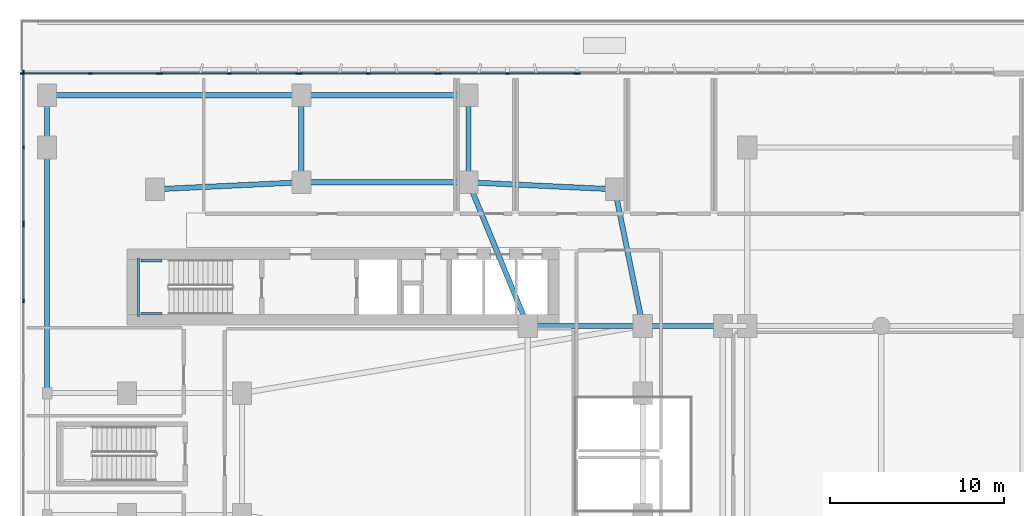
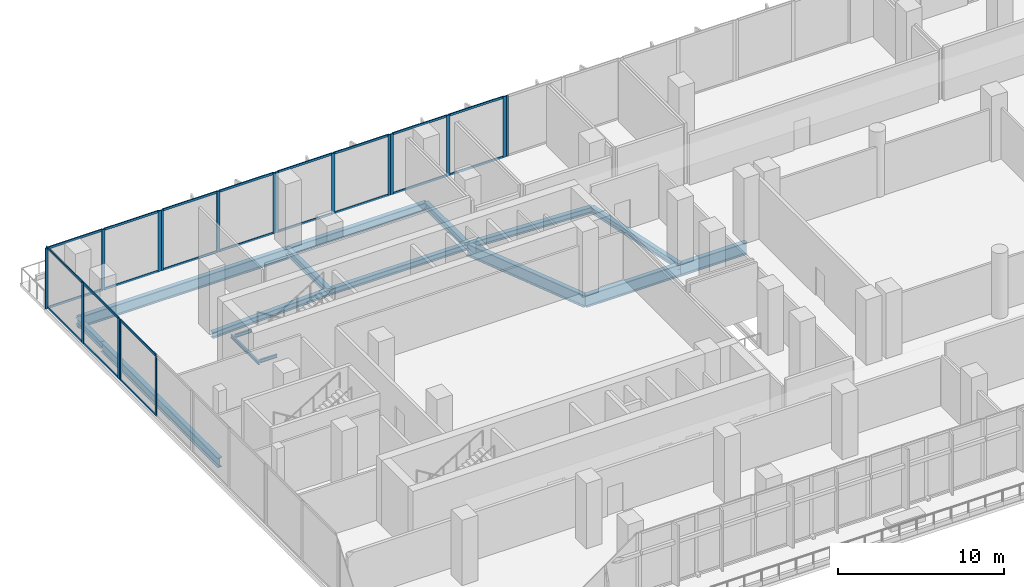
# One storey, part 5 of 30: 40 members, 16 beams, 7 elements without a shape of their own.
"""IFC4 building model written with IfcOpenShell, lengths in metres."""

from ifc_helpers import new_model, si_unit, derived_unit, direction, frame, origin, origin_2d, place, context, subcontext, project, spatial, rectangle, i_section, extrude, material, layer, layer_set, material_profile, profile_set, type_object, element, aggregate, save


model = new_model("IFC4")

# Units and contexts
model_context = context("Model", 3, precision=1e-05, world=origin(), true_north=direction((0.0, 1.0)))
body_context = subcontext(model_context, "Body", "Model", "MODEL_VIEW")
ifc_project = project(units=[si_unit("LENGTHUNIT", "METRE"), si_unit("AREAUNIT", "SQUARE_METRE"), si_unit("VOLUMEUNIT", "CUBIC_METRE"), si_unit("PLANEANGLEUNIT", "RADIAN"), si_unit("MASSUNIT", "GRAM", prefix="KILO"), derived_unit("THERMALTRANSMITTANCEUNIT", [(si_unit("POWERUNIT", "WATT"), 1), (si_unit("LENGTHUNIT", "METRE"), -2), (si_unit("THERMODYNAMICTEMPERATUREUNIT", "KELVIN"), -1)])], contexts=[model_context])

# Site, building, storey
site_placement = place(None, origin())
site = spatial("IfcSite", under=ifc_project, at=site_placement, CompositionType="ELEMENT")
building_placement = place(site_placement, origin())
building = spatial("IfcBuilding", under=site, at=building_placement, Name="Kivonza Crest Hotel", CompositionType="ELEMENT")
storey_placement = place(building_placement, frame((0.0, 0.0, 10.199951171875)))
storey = spatial("IfcBuildingStorey", under=building, at=storey_placement, Name="L02", CompositionType="ELEMENT", Elevation=10.199951171875)

# Beams
ifc_material_1 = material(Name="Steel S355", Category="steel")
ifc_material_profile_1 = material_profile(ifc_material_1, i_section(OverallWidth=0.300048828125, OverallDepth=0.449951171875, WebThickness=0.013916015625, FlangeThickness=0.02587890625, FilletRadius=0.027099609375, at=origin_2d()), Name="HEB 450")
ifc_profile_set_1 = profile_set([ifc_material_profile_1], Name="Steel S355")
beam_type_1 = type_object("IfcBeamType", Name="BM-HEB450", PredefinedType="SPANDREL", material=ifc_profile_set_1)
beam_1_placement = place(storey_placement, frame((35.800048828125, 32.35009765625, -0.574951171875), z_axis=(-0.199730733965, 0.979850822273, 0.0), x_axis=(-0.979850822273, -0.199730733965, 0.0)))
element("IfcBeam", 1, at=beam_1_placement, inside=storey, type_object=beam_type_1, Name="Tower T1 L02 perimeter spandrel PNE-NE", PredefinedType="SPANDREL", context=body_context, shape_type="SweptSolid", body=[
    extrude(i_section(OverallWidth=0.300048828125, OverallDepth=0.449951171875, WebThickness=0.013916015625, FlangeThickness=0.02587890625, FilletRadius=0.027099609375, at=origin_2d()), origin(), (0.0, 0.0, 1.0), 8.01123046875),
])
beam_2_placement = place(storey_placement, frame((34.199951171875, 40.199951171875, -0.574951171875), z_axis=(-0.998867283688, 0.047583080799, 0.0), x_axis=(-0.047583080799, -0.998867283688, 0.0)))
element("IfcBeam", 2, at=beam_2_placement, inside=storey, type_object=beam_type_1, Name="Tower T1 L02 perimeter spandrel NE-N2", PredefinedType="SPANDREL", context=body_context, shape_type="SweptSolid", body=[
    extrude(i_section(OverallWidth=0.300048828125, OverallDepth=0.449951171875, WebThickness=0.013916015625, FlangeThickness=0.02587890625, FilletRadius=0.027099609375, at=origin_2d()), origin(), (0.0, 0.0, 1.0), 8.409423828125),
])
beam_3_placement = place(storey_placement, frame((25.800048828125, 40.60009765625, -0.574951171875), z_axis=(-1.0, 0.0, 0.0), x_axis=(0.0, -1.0, 0.0)))
element("IfcBeam", 3, at=beam_3_placement, inside=storey, type_object=beam_type_1, Name="Tower T1 L02 perimeter spandrel N2-N1", PredefinedType="SPANDREL", context=body_context, shape_type="SweptSolid", body=[
    extrude(i_section(OverallWidth=0.300048828125, OverallDepth=0.449951171875, WebThickness=0.013916015625, FlangeThickness=0.02587890625, FilletRadius=0.027099609375, at=origin_2d()), origin(), (0.0, 0.0, 1.0), 9.60009765625),
])
beam_4_placement = place(storey_placement, frame((16.199951171875, 40.60009765625, -0.574951171875), z_axis=(-0.998867283688, -0.047583080799, 0.0), x_axis=(0.047583080799, -0.998867283688, 0.0)))
element("IfcBeam", 4, at=beam_4_placement, inside=storey, type_object=beam_type_1, Name="Tower T1 L02 perimeter spandrel N1-NW", PredefinedType="SPANDREL", context=body_context, shape_type="SweptSolid", body=[
    extrude(i_section(OverallWidth=0.300048828125, OverallDepth=0.449951171875, WebThickness=0.013916015625, FlangeThickness=0.02587890625, FilletRadius=0.027099609375, at=origin_2d()), origin(), (0.0, 0.0, 1.0), 8.409423828125),
])
ifc_material_profile_2 = material_profile(ifc_material_1, i_section(OverallWidth=0.300048828125, OverallDepth=0.5, WebThickness=0.014404296875, FlangeThickness=0.028076171875, FilletRadius=0.027099609375, at=origin_2d()), Name="HEB 500")
ifc_profile_set_2 = profile_set([ifc_material_profile_2], Name="Steel S355")
beam_type_2 = type_object("IfcBeamType", Name="BM-HEB500", PredefinedType="BEAM", material=ifc_profile_set_2)
beam_5_placement = place(storey_placement, frame((1.60009765625, 42.60009765625, -0.599853515625), z_axis=(0.0, 1.0, 0.0), x_axis=(-1.0, 0.0, 0.0)))
element("IfcBeam", 5, at=beam_5_placement, inside=storey, type_object=beam_type_2, Name="L02 podium girder Y 39", PredefinedType="BEAM", context=body_context, shape_type="SweptSolid", body=[
    extrude(i_section(OverallWidth=0.300048828125, OverallDepth=0.5, WebThickness=0.014404296875, FlangeThickness=0.028076171875, FilletRadius=0.027099609375, at=origin_2d()), origin(), (0.0, 0.0, 1.0), 3.0),
])
for number, where, z_axis, x_axis, name in (
    (6, (16.199951171875, 40.60009765625, -0.599853515625), (0.0, 1.0, 0.0), (-1.0, 0.0, 0.0), "L02 podium girder Y 43"),
    (7, (25.800048828125, 40.60009765625, -0.599853515625), (0.0, 1.0, 0.0), (-1.0, 0.0, 0.0), "L02 podium girder Y 45"),
):
    element("IfcBeam", number, at=place(storey_placement, frame(where, z_axis=z_axis, x_axis=x_axis)), inside=storey, type_object=beam_type_2, Name=name, PredefinedType="BEAM", context=body_context, shape_type="SweptSolid", body=[
        extrude(i_section(OverallWidth=0.300048828125, OverallDepth=0.5, WebThickness=0.014404296875, FlangeThickness=0.028076171875, FilletRadius=0.027099609375, at=origin_2d()), origin(), (0.0, 0.0, 1.0), 5.0),
    ])
ifc_material_profile_3 = material_profile(ifc_material_1, i_section(OverallWidth=0.300048828125, OverallDepth=0.60009765625, WebThickness=0.015380859375, FlangeThickness=0.030029296875, FilletRadius=0.027099609375, at=origin_2d()), Name="HEB 600")
ifc_profile_set_3 = profile_set([ifc_material_profile_3], Name="Steel S355")
beam_type_3 = type_object("IfcBeamType", Name="BM-HEB600", PredefinedType="BEAM", material=ifc_profile_set_3)
beam_6_placement = place(storey_placement, frame((16.199951171875, 45.60009765625, -0.64990234375), z_axis=(1.0, 0.0, 0.0), x_axis=(0.0, 1.0, 0.0)))
element("IfcBeam", 8, at=beam_6_placement, inside=storey, type_object=beam_type_3, Name="L02 podium girder X 32", PredefinedType="BEAM", context=body_context, shape_type="SweptSolid", body=[
    extrude(i_section(OverallWidth=0.300048828125, OverallDepth=0.60009765625, WebThickness=0.015380859375, FlangeThickness=0.030029296875, FilletRadius=0.027099609375, at=origin_2d()), origin(), (0.0, 0.0, 1.0), 9.60009765625),
])
ifc_material_profile_4 = material_profile(ifc_material_1, i_section(OverallWidth=0.300048828125, OverallDepth=0.699951171875, WebThickness=0.01708984375, FlangeThickness=0.031982421875, FilletRadius=0.027099609375, at=origin_2d()), Name="HEB 700")
ifc_profile_set_4 = profile_set([ifc_material_profile_4], Name="Steel S355")
beam_type_4 = type_object("IfcBeamType", Name="BM-HEB700", PredefinedType="BEAM", material=ifc_profile_set_4)
beam_7_placement = place(storey_placement, frame((1.60009765625, 28.5, -0.699951171875), z_axis=(0.0, 1.0, 0.0), x_axis=(-1.0, 0.0, 0.0)))
element("IfcBeam", 9, at=beam_7_placement, inside=storey, type_object=beam_type_4, Name="L02 podium girder Y 38", PredefinedType="BEAM", context=body_context, shape_type="SweptSolid", body=[
    extrude(i_section(OverallWidth=0.300048828125, OverallDepth=0.699951171875, WebThickness=0.01708984375, FlangeThickness=0.031982421875, FilletRadius=0.027099609375, at=origin_2d()), origin(), (0.0, 0.0, 1.0), 14.10009765625),
])
ifc_material_profile_5 = material_profile(ifc_material_1, i_section(OverallWidth=0.300048828125, OverallDepth=0.800048828125, WebThickness=0.017578125, FlangeThickness=0.032958984375, FilletRadius=0.030029296875, at=origin_2d()), Name="HEB 800")
ifc_profile_set_5 = profile_set([ifc_material_profile_5], Name="Steel S355")
beam_type_5 = type_object("IfcBeamType", Name="BM-HEB800", PredefinedType="BEAM", material=ifc_profile_set_5)
beam_8_placement = place(storey_placement, frame((1.60009765625, 45.60009765625, -0.75), z_axis=(1.0, 0.0, 0.0), x_axis=(0.0, 1.0, 0.0)))
element("IfcBeam", 10, at=beam_8_placement, inside=storey, type_object=beam_type_5, Name="L02 podium girder X 31", PredefinedType="BEAM", context=body_context, shape_type="SweptSolid", body=[
    extrude(i_section(OverallWidth=0.300048828125, OverallDepth=0.800048828125, WebThickness=0.017578125, FlangeThickness=0.032958984375, FilletRadius=0.030029296875, at=origin_2d()), origin(), (0.0, 0.0, 1.0), 14.599853515625),
])
ifc_material_profile_6 = material_profile(ifc_material_1, i_section(OverallWidth=0.300048828125, OverallDepth=0.89990234375, WebThickness=0.0185546875, FlangeThickness=0.034912109375, FilletRadius=0.030029296875, at=origin_2d()), Name="HEB 900")
ifc_profile_set_6 = profile_set([ifc_material_profile_6], Name="Steel S355")
beam_type_6 = type_object("IfcBeamType", Name="BM-HEB900", PredefinedType="BEAM", material=ifc_profile_set_6)
beam_9_placement = place(storey_placement, frame((25.800048828125, 40.60009765625, -0.800048828125), z_axis=(0.381022260404, -0.924565864109, 0.0), x_axis=(0.924565864109, 0.381022260404, 0.0)))
element("IfcBeam", 11, at=beam_9_placement, inside=storey, type_object=beam_type_6, Name="Tower T1 L02 primary girder N1-TNE", PredefinedType="BEAM", context=body_context, shape_type="SweptSolid", body=[
    extrude(i_section(OverallWidth=0.300048828125, OverallDepth=0.89990234375, WebThickness=0.0185546875, FlangeThickness=0.034912109375, FilletRadius=0.030029296875, at=origin_2d()), origin(), (0.0, 0.0, 1.0), 8.923095703125),
])
beam_10_placement = place(storey_placement, frame((29.199951171875, 32.35009765625, -0.800048828125), z_axis=(1.0, 0.0, 0.0), x_axis=(0.0, 1.0, 0.0)))
element("IfcBeam", 12, at=beam_10_placement, inside=storey, type_object=beam_type_6, Name="Tower T1 L02 primary girder TNE-PNE", PredefinedType="BEAM", context=body_context, shape_type="SweptSolid", body=[
    extrude(i_section(OverallWidth=0.300048828125, OverallDepth=0.89990234375, WebThickness=0.0185546875, FlangeThickness=0.034912109375, FilletRadius=0.030029296875, at=origin_2d()), origin(), (0.0, 0.0, 1.0), 6.60009765625),
])
beam_11_placement = place(storey_placement, frame((40.39990234375, 32.35009765625, -0.800048828125), z_axis=(-1.0, 0.0, 0.0), x_axis=(0.0, -1.0, 0.0)))
element("IfcBeam", 13, at=beam_11_placement, inside=storey, type_object=beam_type_6, Name="Tower T1 L02 outer bay girder ZE2", PredefinedType="BEAM", context=body_context, shape_type="SweptSolid", body=[
    extrude(i_section(OverallWidth=0.300048828125, OverallDepth=0.89990234375, WebThickness=0.0185546875, FlangeThickness=0.034912109375, FilletRadius=0.030029296875, at=origin_2d()), origin(), (0.0, 0.0, 1.0), 4.599853515625),
])
ifc_material_profile_7 = material_profile(ifc_material_1, i_section(OverallWidth=0.1201171875, OverallDepth=0.239990234375, WebThickness=0.006103515625, FlangeThickness=0.009765625, FilletRadius=0.014892578125, at=origin_2d()), Name="IPE 240")
ifc_profile_set_7 = profile_set([ifc_material_profile_7], Name="Steel S355")
beam_type_7 = type_object("IfcBeamType", Name="BM-LLDG-240", PredefinedType="BEAM", material=ifc_profile_set_7)
beam_12_placement = place(storey_placement, frame((6.860107421875, 32.89990234375, 2.080078125), z_axis=(0.0, 1.0, 0.0), x_axis=(-1.0, 0.0, 0.0)))
element("IfcBeam", 14, at=beam_12_placement, inside=storey, type_object=beam_type_7, Name="Stair ST-T1-N L02 West landing corbel", PredefinedType="BEAM", context=body_context, shape_type="SweptSolid", body=[
    extrude(i_section(OverallWidth=0.1201171875, OverallDepth=0.239990234375, WebThickness=0.006103515625, FlangeThickness=0.009765625, FilletRadius=0.014892578125, at=origin_2d()), origin(), (0.0, 0.0, 1.0), 3.360107421875),
])
for number, where, z_axis, x_axis, name in (
    (15, (6.989990234375, 33.06005859375, 2.080078125), (1.0, 0.0, 0.0), (0.0, 1.0, 0.0), "Stair ST-T1-N L02 South landing corbel"),
    (16, (6.989990234375, 36.10009765625, 2.080078125), (1.0, 0.0, 0.0), (0.0, 1.0, 0.0), "Stair ST-T1-N L02 North landing corbel"),
):
    element("IfcBeam", number, at=place(storey_placement, frame(where, z_axis=z_axis, x_axis=x_axis)), inside=storey, type_object=beam_type_7, Name=name, PredefinedType="BEAM", context=body_context, shape_type="SweptSolid", body=[
        extrude(i_section(OverallWidth=0.1201171875, OverallDepth=0.239990234375, WebThickness=0.006103515625, FlangeThickness=0.009765625, FilletRadius=0.014892578125, at=origin_2d()), origin(), (0.0, 0.0, 1.0), 1.2099609375),
    ])

# Curtain wall, member
ifc_material_2 = material(Name="Anodised bronze aluminium and low-E double glazing", Category="aluminium")
ifc_layer = layer(ifc_material_2, 0.219970703125)
ifc_layer_set = layer_set([ifc_layer], Name="Anodised bronze aluminium and low-E double glazing")
curtain_wall_type = type_object("IfcCurtainWallType", Name="CW-SYS-1", PredefinedType="NOTDEFINED", material=ifc_layer_set)
curtain_wall_1_placement = place(storey_placement, origin())
curtain_wall_1 = element("IfcCurtainWall", 17, at=curtain_wall_1_placement, inside=storey, type_object=curtain_wall_type, Name="L02 unitised curtain wall CW-POD-L02-25", PredefinedType="NOTDEFINED")
ifc_material_3 = material(Name="Anodised bronze aluminium", Category="aluminium")
ifc_material_profile_8 = material_profile(ifc_material_3, rectangle(XDim=0.074951171875, YDim=0.219970703125, at=origin_2d()), Name="CW-M 75x220")
ifc_profile_set_8 = profile_set([ifc_material_profile_8], Name="Anodised bronze aluminium")
member_type_1 = type_object("IfcMemberType", Name="CW-MUL-75x220", PredefinedType="MULLION", material=ifc_profile_set_8)
member_1_placement = place(storey_placement, frame((32.1044921875, 46.840087890625, 0.0), z_axis=(0.0, 0.0, 1.0), x_axis=(0.0, -1.0, 0.0)))
member_1 = element("IfcMember", 18, at=member_1_placement, type_object=member_type_1, Name="CW-1 mullion 3", PredefinedType="MULLION", context=body_context, shape_type="SweptSolid", body=[
    extrude(rectangle(XDim=0.074951171875, YDim=0.219970703125, at=origin_2d()), origin(), (0.0, 0.0, 1.0), 4.449951171875),
])
aggregate(curtain_wall_1, [member_1])

# Curtain wall, members
curtain_wall_2_placement = place(storey_placement, origin())
curtain_wall_2 = element("IfcCurtainWall", 19, at=curtain_wall_2_placement, inside=storey, type_object=curtain_wall_type, Name="L02 unitised curtain wall CW-POD-L02-26", PredefinedType="NOTDEFINED")
member_2_placement = place(storey_placement, frame((31.949462890625, 46.840087890625, 0.0), z_axis=(0.0, 0.0, 1.0), x_axis=(0.0, -1.0, 0.0)))
member_2 = element("IfcMember", 20, at=member_2_placement, type_object=member_type_1, Name="CW-1 mullion 1", PredefinedType="MULLION", context=body_context, shape_type="SweptSolid", body=[
    extrude(rectangle(XDim=0.074951171875, YDim=0.219970703125, at=origin_2d()), origin(), (0.0, 0.0, 1.0), 4.449951171875),
])
member_3_placement = place(storey_placement, frame((28.033447265625, 46.840087890625, 0.0), z_axis=(0.0, 0.0, 1.0), x_axis=(0.0, -1.0, 0.0)))
member_3 = element("IfcMember", 21, at=member_3_placement, type_object=member_type_1, Name="CW-1 mullion 2", PredefinedType="MULLION", context=body_context, shape_type="SweptSolid", body=[
    extrude(rectangle(XDim=0.074951171875, YDim=0.219970703125, at=origin_2d()), origin(), (0.0, 0.0, 1.0), 4.449951171875),
])
member_4_placement = place(storey_placement, frame((24.117431640625, 46.840087890625, 0.0), z_axis=(0.0, 0.0, 1.0), x_axis=(0.0, -1.0, 0.0)))
member_4 = element("IfcMember", 22, at=member_4_placement, type_object=member_type_1, Name="CW-1 mullion 3", PredefinedType="MULLION", context=body_context, shape_type="SweptSolid", body=[
    extrude(rectangle(XDim=0.074951171875, YDim=0.219970703125, at=origin_2d()), origin(), (0.0, 0.0, 1.0), 4.449951171875),
])

curtain_wall_3_placement = place(storey_placement, origin())
curtain_wall_3 = element("IfcCurtainWall", 23, at=curtain_wall_3_placement, inside=storey, type_object=curtain_wall_type, Name="L02 unitised curtain wall CW-POD-L02-27", PredefinedType="NOTDEFINED")
member_5_placement = place(storey_placement, frame((23.96240234375, 46.840087890625, 0.0), z_axis=(0.0, 0.0, 1.0), x_axis=(0.0, -1.0, 0.0)))
member_5 = element("IfcMember", 24, at=member_5_placement, type_object=member_type_1, Name="CW-1 mullion 1", PredefinedType="MULLION", context=body_context, shape_type="SweptSolid", body=[
    extrude(rectangle(XDim=0.074951171875, YDim=0.219970703125, at=origin_2d()), origin(), (0.0, 0.0, 1.0), 4.449951171875),
])
member_6_placement = place(storey_placement, frame((20.04638671875, 46.840087890625, 0.0), z_axis=(0.0, 0.0, 1.0), x_axis=(0.0, -1.0, 0.0)))
member_6 = element("IfcMember", 25, at=member_6_placement, type_object=member_type_1, Name="CW-1 mullion 2", PredefinedType="MULLION", context=body_context, shape_type="SweptSolid", body=[
    extrude(rectangle(XDim=0.074951171875, YDim=0.219970703125, at=origin_2d()), origin(), (0.0, 0.0, 1.0), 4.449951171875),
])
member_7_placement = place(storey_placement, frame((16.130615234375, 46.840087890625, 0.0), z_axis=(0.0, 0.0, 1.0), x_axis=(0.0, -1.0, 0.0)))
member_7 = element("IfcMember", 26, at=member_7_placement, type_object=member_type_1, Name="CW-1 mullion 3", PredefinedType="MULLION", context=body_context, shape_type="SweptSolid", body=[
    extrude(rectangle(XDim=0.074951171875, YDim=0.219970703125, at=origin_2d()), origin(), (0.0, 0.0, 1.0), 4.449951171875),
])

curtain_wall_4_placement = place(storey_placement, origin())
curtain_wall_4 = element("IfcCurtainWall", 27, at=curtain_wall_4_placement, inside=storey, type_object=curtain_wall_type, Name="L02 unitised curtain wall CW-POD-L02-28", PredefinedType="NOTDEFINED")
member_8_placement = place(storey_placement, frame((15.9755859375, 46.840087890625, 0.0), z_axis=(0.0, 0.0, 1.0), x_axis=(0.0, -1.0, 0.0)))
member_8 = element("IfcMember", 28, at=member_8_placement, type_object=member_type_1, Name="CW-1 mullion 1", PredefinedType="MULLION", context=body_context, shape_type="SweptSolid", body=[
    extrude(rectangle(XDim=0.074951171875, YDim=0.219970703125, at=origin_2d()), origin(), (0.0, 0.0, 1.0), 4.449951171875),
])
member_9_placement = place(storey_placement, frame((12.06005859375, 46.840087890625, 0.0), z_axis=(0.0, 0.0, 1.0), x_axis=(0.0, -1.0, 0.0)))
member_9 = element("IfcMember", 29, at=member_9_placement, type_object=member_type_1, Name="CW-1 mullion 2", PredefinedType="MULLION", context=body_context, shape_type="SweptSolid", body=[
    extrude(rectangle(XDim=0.074951171875, YDim=0.219970703125, at=origin_2d()), origin(), (0.0, 0.0, 1.0), 4.449951171875),
])
member_10_placement = place(storey_placement, frame((8.14453125, 46.840087890625, 0.0), z_axis=(0.0, 0.0, 1.0), x_axis=(0.0, -1.0, 0.0)))
member_10 = element("IfcMember", 30, at=member_10_placement, type_object=member_type_1, Name="CW-1 mullion 3", PredefinedType="MULLION", context=body_context, shape_type="SweptSolid", body=[
    extrude(rectangle(XDim=0.074951171875, YDim=0.219970703125, at=origin_2d()), origin(), (0.0, 0.0, 1.0), 4.449951171875),
])

curtain_wall_5_placement = place(storey_placement, origin())
curtain_wall_5 = element("IfcCurtainWall", 31, at=curtain_wall_5_placement, inside=storey, type_object=curtain_wall_type, Name="L02 unitised curtain wall CW-POD-L02-29", PredefinedType="NOTDEFINED")
member_11_placement = place(storey_placement, frame((7.989501953125, 46.840087890625, 0.0), z_axis=(0.0, 0.0, 1.0), x_axis=(0.0, -1.0, 0.0)))
member_11 = element("IfcMember", 32, at=member_11_placement, type_object=member_type_1, Name="CW-1 mullion 1", PredefinedType="MULLION", context=body_context, shape_type="SweptSolid", body=[
    extrude(rectangle(XDim=0.074951171875, YDim=0.219970703125, at=origin_2d()), origin(), (0.0, 0.0, 1.0), 4.449951171875),
])
member_12_placement = place(storey_placement, frame((4.073486328125, 46.840087890625, 0.0), z_axis=(0.0, 0.0, 1.0), x_axis=(0.0, -1.0, 0.0)))
member_12 = element("IfcMember", 33, at=member_12_placement, type_object=member_type_1, Name="CW-1 mullion 2", PredefinedType="MULLION", context=body_context, shape_type="SweptSolid", body=[
    extrude(rectangle(XDim=0.074951171875, YDim=0.219970703125, at=origin_2d()), origin(), (0.0, 0.0, 1.0), 4.449951171875),
])
member_13_placement = place(storey_placement, frame((0.157470703125, 46.840087890625, 0.0), z_axis=(0.0, 0.0, 1.0), x_axis=(0.0, -1.0, 0.0)))
member_13 = element("IfcMember", 34, at=member_13_placement, type_object=member_type_1, Name="CW-1 mullion 3", PredefinedType="MULLION", context=body_context, shape_type="SweptSolid", body=[
    extrude(rectangle(XDim=0.074951171875, YDim=0.219970703125, at=origin_2d()), origin(), (0.0, 0.0, 1.0), 4.449951171875),
])

curtain_wall_6_placement = place(storey_placement, origin())
curtain_wall_6 = element("IfcCurtainWall", 35, at=curtain_wall_6_placement, inside=storey, type_object=curtain_wall_type, Name="L02 unitised curtain wall CW-POD-L02-30", PredefinedType="NOTDEFINED")
member_14_placement = place(storey_placement, frame((0.239990234375, 46.922607421875, 0.0), z_axis=(0.0, 0.0, 1.0), x_axis=(1.0, 0.0, 0.0)))
member_14 = element("IfcMember", 36, at=member_14_placement, type_object=member_type_1, Name="CW-1 mullion 1", PredefinedType="MULLION", context=body_context, shape_type="SweptSolid", body=[
    extrude(rectangle(XDim=0.074951171875, YDim=0.219970703125, at=origin_2d()), origin(), (0.0, 0.0, 1.0), 4.449951171875),
])
member_15_placement = place(storey_placement, frame((0.239990234375, 42.60009765625, 0.0), z_axis=(0.0, 0.0, 1.0), x_axis=(1.0, 0.0, 0.0)))
member_15 = element("IfcMember", 37, at=member_15_placement, type_object=member_type_1, Name="CW-1 mullion 2", PredefinedType="MULLION", context=body_context, shape_type="SweptSolid", body=[
    extrude(rectangle(XDim=0.074951171875, YDim=0.219970703125, at=origin_2d()), origin(), (0.0, 0.0, 1.0), 4.449951171875),
])
member_16_placement = place(storey_placement, frame((0.239990234375, 38.277587890625, 0.0), z_axis=(0.0, 0.0, 1.0), x_axis=(1.0, 0.0, 0.0)))
member_16 = element("IfcMember", 38, at=member_16_placement, type_object=member_type_1, Name="CW-1 mullion 3", PredefinedType="MULLION", context=body_context, shape_type="SweptSolid", body=[
    extrude(rectangle(XDim=0.074951171875, YDim=0.219970703125, at=origin_2d()), origin(), (0.0, 0.0, 1.0), 4.449951171875),
])

curtain_wall_7_placement = place(storey_placement, origin())
curtain_wall_7 = element("IfcCurtainWall", 39, at=curtain_wall_7_placement, inside=storey, type_object=curtain_wall_type, Name="L02 unitised curtain wall CW-POD-L02-31", PredefinedType="NOTDEFINED")
member_17_placement = place(storey_placement, frame((0.239990234375, 38.12255859375, 0.0), z_axis=(0.0, 0.0, 1.0), x_axis=(1.0, 0.0, 0.0)))
member_17 = element("IfcMember", 40, at=member_17_placement, type_object=member_type_1, Name="CW-1 mullion 1", PredefinedType="MULLION", context=body_context, shape_type="SweptSolid", body=[
    extrude(rectangle(XDim=0.074951171875, YDim=0.219970703125, at=origin_2d()), origin(), (0.0, 0.0, 1.0), 4.449951171875),
])
member_18_placement = place(storey_placement, frame((0.239990234375, 33.800048828125, 0.0), z_axis=(0.0, 0.0, 1.0), x_axis=(1.0, 0.0, 0.0)))
member_18 = element("IfcMember", 41, at=member_18_placement, type_object=member_type_1, Name="CW-1 mullion 2", PredefinedType="MULLION", context=body_context, shape_type="SweptSolid", body=[
    extrude(rectangle(XDim=0.074951171875, YDim=0.219970703125, at=origin_2d()), origin(), (0.0, 0.0, 1.0), 4.449951171875),
])

# Member
ifc_material_profile_9 = material_profile(ifc_material_3, rectangle(XDim=0.074951171875, YDim=0.159912109375, at=origin_2d()), Name="CW-T 75x160")
ifc_profile_set_9 = profile_set([ifc_material_profile_9], Name="Anodised bronze aluminium")
member_type_2 = type_object("IfcMemberType", Name="CW-TRN-75x160", PredefinedType="USERDEFINED", material=ifc_profile_set_9)
member_19_placement = place(storey_placement, frame((31.912109375, 46.840087890625, 0.03759765625), z_axis=(-1.0, 0.0, 0.0), x_axis=(0.0, -1.0, 0.0)))
member_19 = element("IfcMember", 42, at=member_19_placement, type_object=member_type_2, Name="CW-1 transom 1.1", ObjectType="TRANSOM", PredefinedType="USERDEFINED", context=body_context, shape_type="SweptSolid", body=[
    extrude(rectangle(XDim=0.074951171875, YDim=0.159912109375, at=origin_2d()), origin(), (0.0, 0.0, 1.0), 3.841064453125),
])

member_20_placement = place(storey_placement, frame((31.912109375, 46.840087890625, 4.41259765625), z_axis=(-1.0, 0.0, 0.0), x_axis=(0.0, -1.0, 0.0)))
member_20 = element("IfcMember", 43, at=member_20_placement, type_object=member_type_2, Name="CW-1 transom 1.2", ObjectType="TRANSOM", PredefinedType="USERDEFINED", context=body_context, shape_type="SweptSolid", body=[
    extrude(rectangle(XDim=0.074951171875, YDim=0.159912109375, at=origin_2d()), origin(), (0.0, 0.0, 1.0), 3.841064453125),
])

member_21_placement = place(storey_placement, frame((27.99609375, 46.840087890625, 0.03759765625), z_axis=(-1.0, 0.0, 0.0), x_axis=(0.0, -1.0, 0.0)))
member_21 = element("IfcMember", 44, at=member_21_placement, type_object=member_type_2, Name="CW-1 transom 2.1", ObjectType="TRANSOM", PredefinedType="USERDEFINED", context=body_context, shape_type="SweptSolid", body=[
    extrude(rectangle(XDim=0.074951171875, YDim=0.159912109375, at=origin_2d()), origin(), (0.0, 0.0, 1.0), 3.841064453125),
])

member_22_placement = place(storey_placement, frame((27.99609375, 46.840087890625, 4.41259765625), z_axis=(-1.0, 0.0, 0.0), x_axis=(0.0, -1.0, 0.0)))
member_22 = element("IfcMember", 45, at=member_22_placement, type_object=member_type_2, Name="CW-1 transom 2.2", ObjectType="TRANSOM", PredefinedType="USERDEFINED", context=body_context, shape_type="SweptSolid", body=[
    extrude(rectangle(XDim=0.074951171875, YDim=0.159912109375, at=origin_2d()), origin(), (0.0, 0.0, 1.0), 3.841064453125),
])

aggregate(curtain_wall_2, [member_2, member_3, member_4, member_19, member_20, member_21, member_22])

member_23_placement = place(storey_placement, frame((23.925048828125, 46.840087890625, 0.03759765625), z_axis=(-1.0, 0.0, 0.0), x_axis=(0.0, -1.0, 0.0)))
member_23 = element("IfcMember", 46, at=member_23_placement, type_object=member_type_2, Name="CW-1 transom 1.1", ObjectType="TRANSOM", PredefinedType="USERDEFINED", context=body_context, shape_type="SweptSolid", body=[
    extrude(rectangle(XDim=0.074951171875, YDim=0.159912109375, at=origin_2d()), origin(), (0.0, 0.0, 1.0), 3.841064453125),
])

member_24_placement = place(storey_placement, frame((23.925048828125, 46.840087890625, 4.41259765625), z_axis=(-1.0, 0.0, 0.0), x_axis=(0.0, -1.0, 0.0)))
member_24 = element("IfcMember", 47, at=member_24_placement, type_object=member_type_2, Name="CW-1 transom 1.2", ObjectType="TRANSOM", PredefinedType="USERDEFINED", context=body_context, shape_type="SweptSolid", body=[
    extrude(rectangle(XDim=0.074951171875, YDim=0.159912109375, at=origin_2d()), origin(), (0.0, 0.0, 1.0), 3.841064453125),
])

member_25_placement = place(storey_placement, frame((20.009033203125, 46.840087890625, 0.03759765625), z_axis=(-1.0, 0.0, 0.0), x_axis=(0.0, -1.0, 0.0)))
member_25 = element("IfcMember", 48, at=member_25_placement, type_object=member_type_2, Name="CW-1 transom 2.1", ObjectType="TRANSOM", PredefinedType="USERDEFINED", context=body_context, shape_type="SweptSolid", body=[
    extrude(rectangle(XDim=0.074951171875, YDim=0.159912109375, at=origin_2d()), origin(), (0.0, 0.0, 1.0), 3.841064453125),
])

member_26_placement = place(storey_placement, frame((20.009033203125, 46.840087890625, 4.41259765625), z_axis=(-1.0, 0.0, 0.0), x_axis=(0.0, -1.0, 0.0)))
member_26 = element("IfcMember", 49, at=member_26_placement, type_object=member_type_2, Name="CW-1 transom 2.2", ObjectType="TRANSOM", PredefinedType="USERDEFINED", context=body_context, shape_type="SweptSolid", body=[
    extrude(rectangle(XDim=0.074951171875, YDim=0.159912109375, at=origin_2d()), origin(), (0.0, 0.0, 1.0), 3.841064453125),
])

aggregate(curtain_wall_3, [member_5, member_6, member_7, member_23, member_24, member_25, member_26])

member_27_placement = place(storey_placement, frame((15.93798828125, 46.840087890625, 0.03759765625), z_axis=(-1.0, 0.0, 0.0), x_axis=(0.0, -1.0, 0.0)))
member_27 = element("IfcMember", 50, at=member_27_placement, type_object=member_type_2, Name="CW-1 transom 1.1", ObjectType="TRANSOM", PredefinedType="USERDEFINED", context=body_context, shape_type="SweptSolid", body=[
    extrude(rectangle(XDim=0.074951171875, YDim=0.159912109375, at=origin_2d()), origin(), (0.0, 0.0, 1.0), 3.840576171875),
])

member_28_placement = place(storey_placement, frame((15.93798828125, 46.840087890625, 4.41259765625), z_axis=(-1.0, 0.0, 0.0), x_axis=(0.0, -1.0, 0.0)))
member_28 = element("IfcMember", 51, at=member_28_placement, type_object=member_type_2, Name="CW-1 transom 1.2", ObjectType="TRANSOM", PredefinedType="USERDEFINED", context=body_context, shape_type="SweptSolid", body=[
    extrude(rectangle(XDim=0.074951171875, YDim=0.159912109375, at=origin_2d()), origin(), (0.0, 0.0, 1.0), 3.840576171875),
])

member_29_placement = place(storey_placement, frame((12.0224609375, 46.840087890625, 0.03759765625), z_axis=(-1.0, 0.0, 0.0), x_axis=(0.0, -1.0, 0.0)))
member_29 = element("IfcMember", 52, at=member_29_placement, type_object=member_type_2, Name="CW-1 transom 2.1", ObjectType="TRANSOM", PredefinedType="USERDEFINED", context=body_context, shape_type="SweptSolid", body=[
    extrude(rectangle(XDim=0.074951171875, YDim=0.159912109375, at=origin_2d()), origin(), (0.0, 0.0, 1.0), 3.840576171875),
])

member_30_placement = place(storey_placement, frame((12.0224609375, 46.840087890625, 4.41259765625), z_axis=(-1.0, 0.0, 0.0), x_axis=(0.0, -1.0, 0.0)))
member_30 = element("IfcMember", 53, at=member_30_placement, type_object=member_type_2, Name="CW-1 transom 2.2", ObjectType="TRANSOM", PredefinedType="USERDEFINED", context=body_context, shape_type="SweptSolid", body=[
    extrude(rectangle(XDim=0.074951171875, YDim=0.159912109375, at=origin_2d()), origin(), (0.0, 0.0, 1.0), 3.840576171875),
])

aggregate(curtain_wall_4, [member_8, member_9, member_10, member_27, member_28, member_29, member_30])

member_31_placement = place(storey_placement, frame((7.951904296875, 46.840087890625, 0.03759765625), z_axis=(-1.0, 0.0, 0.0), x_axis=(0.0, -1.0, 0.0)))
member_31 = element("IfcMember", 54, at=member_31_placement, type_object=member_type_2, Name="CW-1 transom 1.1", ObjectType="TRANSOM", PredefinedType="USERDEFINED", context=body_context, shape_type="SweptSolid", body=[
    extrude(rectangle(XDim=0.074951171875, YDim=0.159912109375, at=origin_2d()), origin(), (0.0, 0.0, 1.0), 3.8408203125),
])

member_32_placement = place(storey_placement, frame((7.951904296875, 46.840087890625, 4.41259765625), z_axis=(-1.0, 0.0, 0.0), x_axis=(0.0, -1.0, 0.0)))
member_32 = element("IfcMember", 55, at=member_32_placement, type_object=member_type_2, Name="CW-1 transom 1.2", ObjectType="TRANSOM", PredefinedType="USERDEFINED", context=body_context, shape_type="SweptSolid", body=[
    extrude(rectangle(XDim=0.074951171875, YDim=0.159912109375, at=origin_2d()), origin(), (0.0, 0.0, 1.0), 3.8408203125),
])

member_33_placement = place(storey_placement, frame((4.035888671875, 46.840087890625, 0.03759765625), z_axis=(-1.0, 0.0, 0.0), x_axis=(0.0, -1.0, 0.0)))
member_33 = element("IfcMember", 56, at=member_33_placement, type_object=member_type_2, Name="CW-1 transom 2.1", ObjectType="TRANSOM", PredefinedType="USERDEFINED", context=body_context, shape_type="SweptSolid", body=[
    extrude(rectangle(XDim=0.074951171875, YDim=0.159912109375, at=origin_2d()), origin(), (0.0, 0.0, 1.0), 3.8408203125),
])

member_34_placement = place(storey_placement, frame((4.035888671875, 46.840087890625, 4.41259765625), z_axis=(-1.0, 0.0, 0.0), x_axis=(0.0, -1.0, 0.0)))
member_34 = element("IfcMember", 57, at=member_34_placement, type_object=member_type_2, Name="CW-1 transom 2.2", ObjectType="TRANSOM", PredefinedType="USERDEFINED", context=body_context, shape_type="SweptSolid", body=[
    extrude(rectangle(XDim=0.074951171875, YDim=0.159912109375, at=origin_2d()), origin(), (0.0, 0.0, 1.0), 3.8408203125),
])

aggregate(curtain_wall_5, [member_11, member_12, member_13, member_31, member_32, member_33, member_34])

member_35_placement = place(storey_placement, frame((0.239990234375, 46.885009765625, 0.03759765625), z_axis=(0.0, -1.0, 0.0), x_axis=(1.0, 0.0, 0.0)))
member_35 = element("IfcMember", 58, at=member_35_placement, type_object=member_type_2, Name="CW-1 transom 1.1", ObjectType="TRANSOM", PredefinedType="USERDEFINED", context=body_context, shape_type="SweptSolid", body=[
    extrude(rectangle(XDim=0.074951171875, YDim=0.159912109375, at=origin_2d()), origin(), (0.0, 0.0, 1.0), 4.24755859375),
])

member_36_placement = place(storey_placement, frame((0.239990234375, 46.885009765625, 4.41259765625), z_axis=(0.0, -1.0, 0.0), x_axis=(1.0, 0.0, 0.0)))
member_36 = element("IfcMember", 59, at=member_36_placement, type_object=member_type_2, Name="CW-1 transom 1.2", ObjectType="TRANSOM", PredefinedType="USERDEFINED", context=body_context, shape_type="SweptSolid", body=[
    extrude(rectangle(XDim=0.074951171875, YDim=0.159912109375, at=origin_2d()), origin(), (0.0, 0.0, 1.0), 4.24755859375),
])

member_37_placement = place(storey_placement, frame((0.239990234375, 42.5625, 0.03759765625), z_axis=(0.0, -1.0, 0.0), x_axis=(1.0, 0.0, 0.0)))
member_37 = element("IfcMember", 60, at=member_37_placement, type_object=member_type_2, Name="CW-1 transom 2.1", ObjectType="TRANSOM", PredefinedType="USERDEFINED", context=body_context, shape_type="SweptSolid", body=[
    extrude(rectangle(XDim=0.074951171875, YDim=0.159912109375, at=origin_2d()), origin(), (0.0, 0.0, 1.0), 4.24755859375),
])

member_38_placement = place(storey_placement, frame((0.239990234375, 42.5625, 4.41259765625), z_axis=(0.0, -1.0, 0.0), x_axis=(1.0, 0.0, 0.0)))
member_38 = element("IfcMember", 61, at=member_38_placement, type_object=member_type_2, Name="CW-1 transom 2.2", ObjectType="TRANSOM", PredefinedType="USERDEFINED", context=body_context, shape_type="SweptSolid", body=[
    extrude(rectangle(XDim=0.074951171875, YDim=0.159912109375, at=origin_2d()), origin(), (0.0, 0.0, 1.0), 4.24755859375),
])

aggregate(curtain_wall_6, [member_14, member_15, member_16, member_35, member_36, member_37, member_38])

member_39_placement = place(storey_placement, frame((0.239990234375, 38.0849609375, 0.03759765625), z_axis=(0.0, -1.0, 0.0), x_axis=(1.0, 0.0, 0.0)))
member_39 = element("IfcMember", 62, at=member_39_placement, type_object=member_type_2, Name="CW-1 transom 1.1", ObjectType="TRANSOM", PredefinedType="USERDEFINED", context=body_context, shape_type="SweptSolid", body=[
    extrude(rectangle(XDim=0.074951171875, YDim=0.159912109375, at=origin_2d()), origin(), (0.0, 0.0, 1.0), 4.24755859375),
])

member_40_placement = place(storey_placement, frame((0.239990234375, 38.0849609375, 4.41259765625), z_axis=(0.0, -1.0, 0.0), x_axis=(1.0, 0.0, 0.0)))
member_40 = element("IfcMember", 63, at=member_40_placement, type_object=member_type_2, Name="CW-1 transom 1.2", ObjectType="TRANSOM", PredefinedType="USERDEFINED", context=body_context, shape_type="SweptSolid", body=[
    extrude(rectangle(XDim=0.074951171875, YDim=0.159912109375, at=origin_2d()), origin(), (0.0, 0.0, 1.0), 4.24755859375),
])

aggregate(curtain_wall_7, [member_17, member_18, member_39, member_40])

save(model, "model.ifc")
